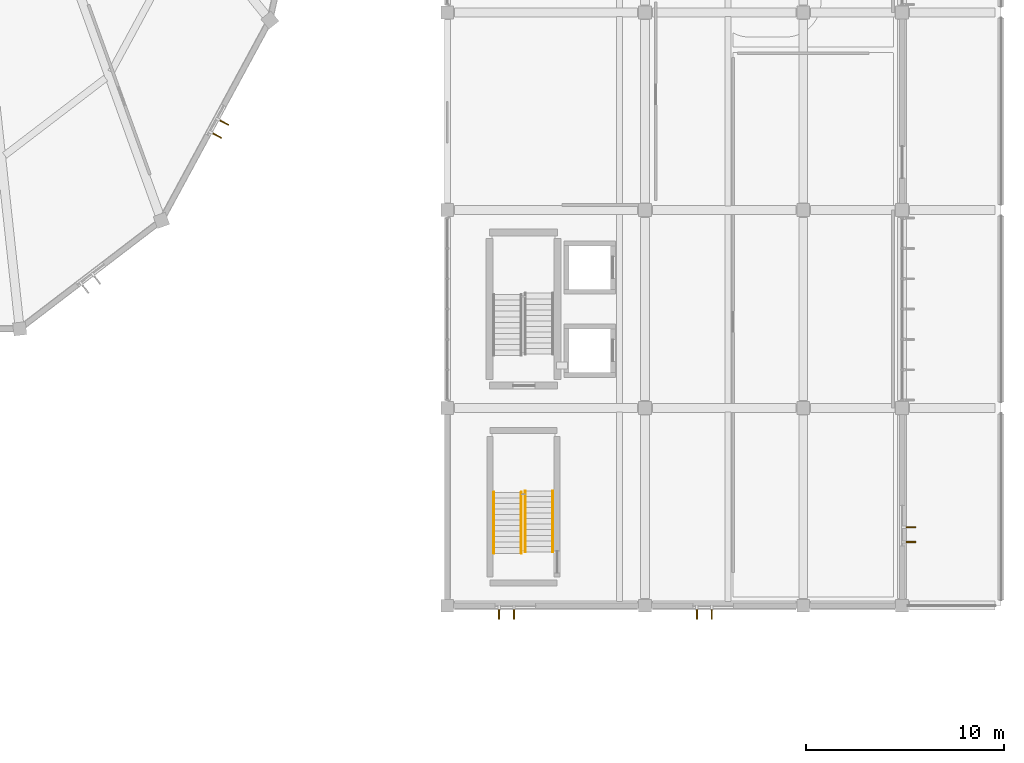
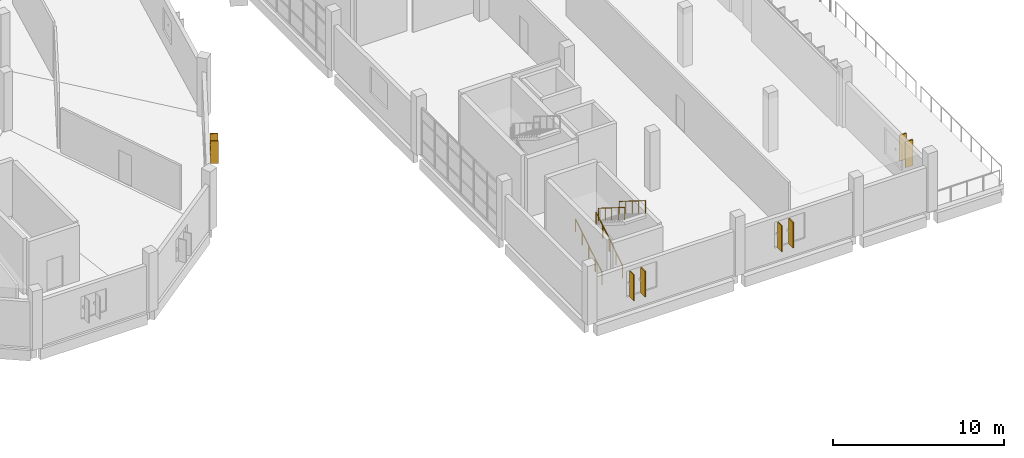
# One storey, part 133 of 142: 8 shading devices, 4 railings.
"""IFC4 building model written with IfcOpenShell, lengths in metres."""

from ifc_helpers import new_model, si_unit, direction, frame, origin, origin_2d, place, context, subcontext, project, spatial, rectangle, circle, extrude, material, layer, layer_set, type_object, element, save


model = new_model("IFC4")

# Units and contexts
model_context = context("Model", 3, precision=1e-05, world=origin(), true_north=direction((0.0, 1.0)))
body_context = subcontext(model_context, "Body", "Model", "MODEL_VIEW")
ifc_project = project(units=[si_unit("LENGTHUNIT", "METRE"), si_unit("AREAUNIT", "SQUARE_METRE"), si_unit("VOLUMEUNIT", "CUBIC_METRE"), si_unit("PLANEANGLEUNIT", "RADIAN"), si_unit("MASSUNIT", "GRAM", prefix="KILO")], contexts=[model_context])

# Site, building, storey
site_placement = place(None, origin())
site = spatial("IfcSite", under=ifc_project, at=site_placement, CompositionType="ELEMENT")
building_placement = place(site_placement, origin())
building = spatial("IfcBuilding", under=site, at=building_placement, Name="Corvandel Quay Wholesale Market", CompositionType="ELEMENT")
storey_placement = place(building_placement, frame((0.0, 0.0, 10.800048828125)))
storey = spatial("IfcBuildingStorey", under=building, at=storey_placement, Name="L02", CompositionType="ELEMENT", Elevation=10.800048828125)

# Railings
ifc_material_1 = material(Name="Brushed austenitic stainless steel Grade 316", Category="steel")
ifc_layer = layer(ifc_material_1, 0.048095703125)
ifc_layer_set = layer_set([ifc_layer], Name="Brushed austenitic stainless steel Grade 316")
railing_type = type_object("IfcRailingType", Name="Tubular Stainless Stair Handrail HR01 915mm", PredefinedType="HANDRAIL", material=ifc_layer_set)
for number, where, name in (
    (1, (222.360107421875, 12.64990234375, 0.175048828125), "Stair Handrail 0200"),
    (2, (223.75, 12.64990234375, 0.175048828125), "Stair Handrail 0201"),
):
    element("IfcRailing", number, at=place(storey_placement, frame(where)), inside=storey, type_object=railing_type, Name=name, PredefinedType="HANDRAIL", context=body_context, shape_type="SweptSolid", body=[
        extrude(circle(Radius=0.02392578125, at=origin_2d()), frame((0.0, 0.0, 0.89111328125), z_axis=(0.0, 0.848028513186, 0.529950602248), x_axis=(-1.0, 0.0, 0.0)), (0.0, 0.0, 1.0), 3.632080078125),
        extrude(circle(Radius=0.02099609375, at=origin_2d()), origin(), (0.0, 0.0, 1.0), 0.866943359375),
        extrude(circle(Radius=0.02099609375, at=origin_2d()), frame((0.0, 0.77001953125, 0.481201171875)), (0.0, 0.0, 1.0), 0.866943359375),
        extrude(circle(Radius=0.02099609375, at=origin_2d()), frame((0.0, 1.5400390625, 0.96240234375)), (0.0, 0.0, 1.0), 0.866943359375),
        extrude(circle(Radius=0.02099609375, at=origin_2d()), frame((0.0, 2.31005859375, 1.443603515625)), (0.0, 0.0, 1.0), 0.866943359375),
        extrude(circle(Radius=0.02099609375, at=origin_2d()), frame((0.0, 3.080078125, 1.9248046875)), (0.0, 0.0, 1.0), 0.866943359375),
    ])
for number, where, name in (
    (3, (223.949951171875, 15.800048828125, 2.27490234375), "Stair Handrail 0202"),
    (4, (225.340087890625, 15.800048828125, 2.27490234375), "Stair Handrail 0203"),
):
    element("IfcRailing", number, at=place(storey_placement, frame(where)), inside=storey, type_object=railing_type, Name=name, PredefinedType="HANDRAIL", context=body_context, shape_type="SweptSolid", body=[
        extrude(circle(Radius=0.02392578125, at=origin_2d()), frame((0.0, 0.0, 0.89111328125), z_axis=(0.0, -0.847998304005, 0.529998940003), x_axis=(1.0, 0.0, 0.0)), (0.0, 0.0, 1.0), 3.632080078125),
        extrude(circle(Radius=0.02099609375, at=origin_2d()), origin(), (0.0, 0.0, 1.0), 0.866943359375),
        extrude(circle(Radius=0.02099609375, at=origin_2d()), frame((0.0, -0.77001953125, 0.481201171875)), (0.0, 0.0, 1.0), 0.866943359375),
        extrude(circle(Radius=0.02099609375, at=origin_2d()), frame((0.0, -1.5400390625, 0.96240234375)), (0.0, 0.0, 1.0), 0.866943359375),
        extrude(circle(Radius=0.02099609375, at=origin_2d()), frame((0.0, -2.31005859375, 1.44384765625)), (0.0, 0.0, 1.0), 0.866943359375),
        extrude(circle(Radius=0.02099609375, at=origin_2d()), frame((0.0, -3.080078125, 1.925048828125)), (0.0, 0.0, 1.0), 0.866943359375),
    ])

# Shading devices
ifc_material_2 = material(Name="Bronze anodised extruded aluminium 6063-T6", Category="aluminium")
shading_device_type = type_object("IfcShadingDeviceType", Name="Vertical Anodised Bronze Solar Fin FN01 480mm", PredefinedType="JALOUSIE", material=ifc_material_2)
for number, where, z_axis, x_axis, name in (
    (5, (208.3662109375, 33.763916015625, 0.949951171875), (0.0, 0.0, 1.0), (-0.879316310191, 0.476238203668, 0.0), "Solar Fin 0502"),
    (6, (208.72314453125, 34.42333984375, 0.949951171875), (0.0, 0.0, 1.0), (-0.879316310191, 0.476238203668, 0.0), "Solar Fin 0503"),
):
    element("IfcShadingDevice", number, at=place(storey_placement, frame(where, z_axis=z_axis, x_axis=x_axis)), inside=storey, type_object=shading_device_type, Name=name, PredefinedType="JALOUSIE", context=body_context, shape_type="SweptSolid", body=[
        extrude(rectangle(XDim=0.47998046875, YDim=0.06494140625, at=origin_2d()), origin(), (0.0, 0.0, 1.0), 1.60009765625),
    ])
for number, where, z_axis, x_axis, name in (
    (7, (243.43994140625, 13.219970703125, 0.89990234375), (0.0, 0.0, 1.0), (1.0, 0.0, 0.0), "Solar Fin 0685"),
    (8, (243.43994140625, 13.969970703125, 0.89990234375), (0.0, 0.0, 1.0), (1.0, 0.0, 0.0), "Solar Fin 0686"),
    (9, (222.6201171875, 9.56005859375, 0.949951171875), (0.0, 0.0, 1.0), (0.0, 1.0, 0.0), "Solar Fin 0714"),
    (10, (223.3701171875, 9.56005859375, 0.949951171875), (0.0, 0.0, 1.0), (0.0, 1.0, 0.0), "Solar Fin 0715"),
    (11, (232.6201171875, 9.56005859375, 0.949951171875), (0.0, 0.0, 1.0), (0.0, 1.0, 0.0), "Solar Fin 0716"),
    (12, (233.3701171875, 9.56005859375, 0.949951171875), (0.0, 0.0, 1.0), (0.0, 1.0, 0.0), "Solar Fin 0717"),
):
    element("IfcShadingDevice", number, at=place(storey_placement, frame(where, z_axis=z_axis, x_axis=x_axis)), inside=storey, type_object=shading_device_type, Name=name, PredefinedType="JALOUSIE", context=body_context, shape_type="SweptSolid", body=[
        extrude(rectangle(XDim=0.47998046875, YDim=0.06494140625, at=origin_2d()), origin(), (0.0, 0.0, 1.0), 1.85009765625),
    ])

save(model, "model.ifc")
